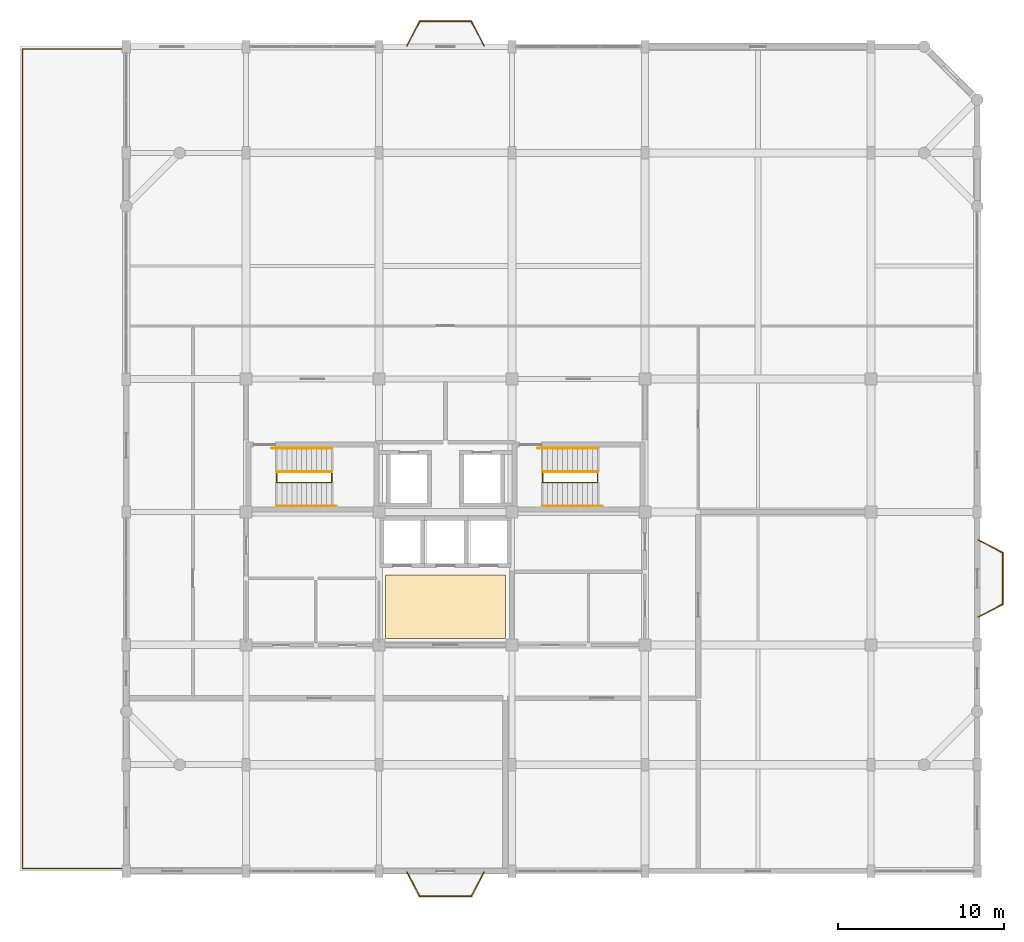
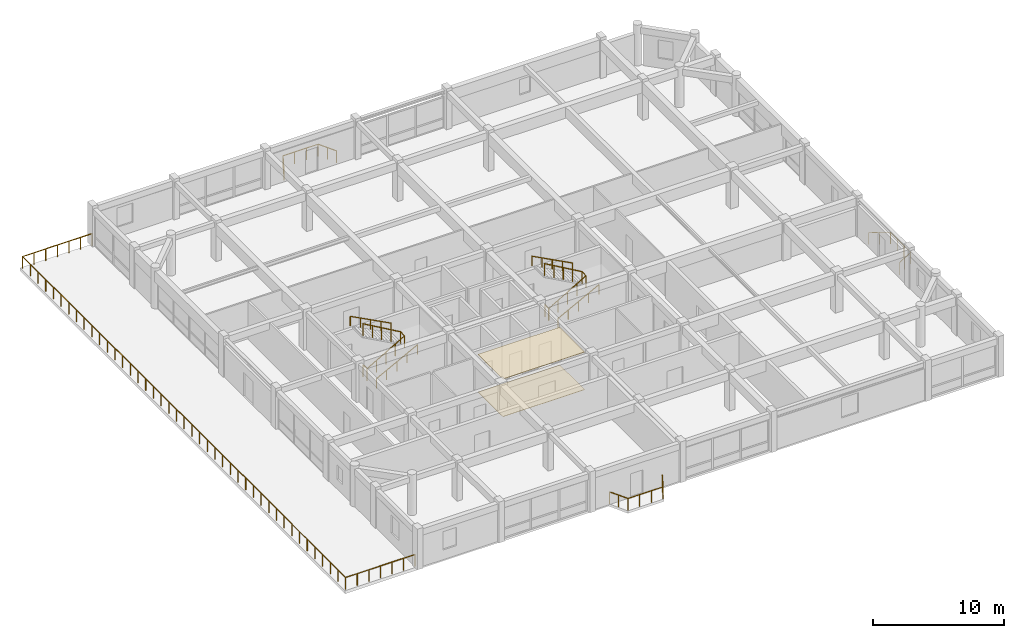
# One storey, part 13 of 13: 12 railings, 2 coverings.
"""IFC4 building model written with IfcOpenShell, lengths in metres."""

import ifcopenshell
import ifcopenshell.guid

model = None  # the IFC model being written
_history = None  # IfcOwnerHistory: only IFC2X3 demands one
_inside = {}  # id of a spatial element -> (the spatial element, [elements in it])
_under = {}  # id of a project, library or spatial element -> (it, [spatial elements below it])
_declared = {}  # id of a project -> (the project, [libraries it declares])
_typed = {}  # id of a type object -> (the type object, [elements of that type])
_made_of = {}  # id of a material, layer set ... -> (it, [elements and type objects made of it])


def new_model(schema):
    """Start an empty IFC model of exactly this schema.

    Asked for "IFC4X3", IfcOpenShell would pick the latest addendum, in which some entities
    have other attributes; the version numbers below select the first issue.
    IFC2X3 requires an IfcOwnerHistory on every rooted entity: one is made here for all.
    """
    global model, _history
    if schema == "IFC4X3":
        model = ifcopenshell.file(schema_version=(4, 3, 0, 0))
    else:
        model = ifcopenshell.file(schema=schema)
    _inside.clear()
    _under.clear()
    _declared.clear()
    _typed.clear()
    _made_of.clear()
    _history = None
    if model.schema == "IFC2X3":
        org = make("IfcOrganization", Name="unknown")
        user = make(
            "IfcPersonAndOrganization",
            ThePerson=make("IfcPerson", FamilyName="unknown"),
            TheOrganization=org,
        )
        app = make(
            "IfcApplication",
            ApplicationDeveloper=org,
            Version="unknown",
            ApplicationFullName="unknown",
            ApplicationIdentifier="unknown",
        )
        _history = make(
            "IfcOwnerHistory",
            OwningUser=user,
            OwningApplication=app,
            ChangeAction="ADDED",
            CreationDate=0,
        )
    return model


def make(cls, **values):
    """One entity of the class cls with the attributes given. An attribute that is None is left unset."""
    return model.create_entity(
        cls, **{name: value for name, value in values.items() if value is not None}
    )


def rooted(cls, **values):
    """An entity with a GlobalId (a new one), such as an element, a storey or a relation."""
    return make(cls, GlobalId=ifcopenshell.guid.new(), OwnerHistory=_history, **values)


def si_unit(unit_type, name, prefix=None):
    """IfcSIUnit, for example si_unit("LENGTHUNIT", "METRE", prefix="MILLI")."""
    return make("IfcSIUnit", UnitType=unit_type, Prefix=prefix, Name=name)


def assignment(units):
    """IfcUnitAssignment: the units of a project."""
    return None if units is None else make("IfcUnitAssignment", Units=units)


def point(xyz):
    """IfcCartesianPoint."""
    return None if xyz is None else make("IfcCartesianPoint", Coordinates=xyz)


def direction(xyz):
    """IfcDirection."""
    return None if xyz is None else make("IfcDirection", DirectionRatios=xyz)


def frame(location, z_axis=None, x_axis=None):
    """IfcAxis2Placement3D, a coordinate frame: its origin and axes. An axis left out is left unset."""
    return make(
        "IfcAxis2Placement3D",
        Location=point(location),
        Axis=direction(z_axis),
        RefDirection=direction(x_axis),
    )


def frame_2d(location, x_axis=None):
    """IfcAxis2Placement2D, a coordinate frame in the plane: its origin and x axis."""
    return make(
        "IfcAxis2Placement2D", Location=point(location), RefDirection=direction(x_axis)
    )


def origin():
    """The frame at (0, 0, 0) with its axes left unset."""
    return frame((0.0, 0.0, 0.0))


def origin_2d():
    """The frame at (0, 0) in the plane with its x axis left unset."""
    return frame_2d((0.0, 0.0))


def place(relative_to, where):
    """IfcLocalPlacement: puts the frame where relative to a parent placement (None: the world)."""
    return make(
        "IfcLocalPlacement", PlacementRelTo=relative_to, RelativePlacement=where
    )


def context(
    kind, dimensions, precision=None, world=None, true_north=None, identifier=None
):
    """IfcGeometricRepresentationContext, for example the 3D "Model" context."""
    return make(
        "IfcGeometricRepresentationContext",
        ContextIdentifier=identifier,
        ContextType=kind,
        CoordinateSpaceDimension=dimensions,
        Precision=precision,
        WorldCoordinateSystem=world,
        TrueNorth=true_north,
    )


def subcontext(parent, identifier, kind, view, scale=None):
    """IfcGeometricRepresentationSubContext, for example "Body" below "Model"."""
    return make(
        "IfcGeometricRepresentationSubContext",
        ContextIdentifier=identifier,
        ContextType=kind,
        ParentContext=parent,
        TargetScale=scale,
        TargetView=view,
    )


def project(units=None, contexts=None):
    """IfcProject with its units and contexts."""
    return rooted(
        "IfcProject",
        Name="project",
        RepresentationContexts=contexts,
        UnitsInContext=assignment(units),
    )


def spatial(cls, under=None, at=None, **own):
    """A site, building, storey or space (cls), placed at a placement, below another one or the project."""
    s = rooted(cls, ObjectPlacement=at, **own)
    if under is not None:
        _under.setdefault(under.id(), (under, []))[1].append(s)
    return s


def polyline(points):
    """IfcPolyline through the points."""
    return make("IfcPolyline", Points=[point(p) for p in points])


def profile(cls, at=None, kind="AREA", **sizes):
    """A parametric profile (cls). Its sizes go by their IFC names, for example OverallWidth=200.0."""
    return make(cls, ProfileType=kind, Position=at, **sizes)


def circle(**sizes):
    """IfcCircleProfileDef."""
    return profile("IfcCircleProfileDef", **sizes)


def outline(outer, holes=None, kind="AREA"):
    """IfcArbitraryClosedProfileDef: a profile drawn as a closed curve; with holes, ...WithVoids."""
    if holes is None:
        return make("IfcArbitraryClosedProfileDef", ProfileType=kind, OuterCurve=outer)
    return make(
        "IfcArbitraryProfileDefWithVoids",
        ProfileType=kind,
        OuterCurve=outer,
        InnerCurves=holes,
    )


def extrude(swept, where, along, depth):
    """IfcExtrudedAreaSolid: the profile swept, set in the frame where, extruded along a direction by depth."""
    return make(
        "IfcExtrudedAreaSolid",
        SweptArea=swept,
        Position=where,
        ExtrudedDirection=direction(along),
        Depth=depth,
    )


def shape(context_of_items, identifier, shape_type, items):
    """IfcShapeRepresentation: the items that make up one representation, for example the "Body"."""
    return make(
        "IfcShapeRepresentation",
        ContextOfItems=context_of_items,
        RepresentationIdentifier=identifier,
        RepresentationType=shape_type,
        Items=items,
    )


def material(Name=None, Category=None):
    """IfcMaterial."""
    return make("IfcMaterial", Name=Name, Category=Category)


def layer(
    of_material, thickness, ventilated=None, Name=None, Category=None, Priority=None
):
    """IfcMaterialLayer: one layer of a wall or slab, of a material (None: an air gap)."""
    return make(
        "IfcMaterialLayer",
        Material=of_material,
        LayerThickness=thickness,
        IsVentilated=ventilated,
        Name=Name,
        Category=Category,
        Priority=Priority,
    )


def layer_set(layers, Name=None):
    """IfcMaterialLayerSet."""
    return make("IfcMaterialLayerSet", MaterialLayers=layers, LayerSetName=Name)


def made_of(thing, what):
    """Note that an element or type object is made of a material, layer set ...; save() writes the relation."""
    if what is not None:
        _made_of.setdefault(what.id(), (what, []))[1].append(thing)
    return thing


def type_object(cls, material=None, **own):
    """A type object (cls), such as IfcWallType, which elements share."""
    return made_of(rooted(cls, **own), material)


def element(
    cls,
    number,
    at=None,
    inside=None,
    cuts=None,
    type_object=None,
    material=None,
    context=None,
    identifier="Body",
    shape_type=None,
    held_by="IfcProductDefinitionShape",
    body=None,
    shapes=None,
    **own,
):
    """One element of the class cls, such as IfcWall. Its Tag is "e" and its number.

    at: its placement. inside: the storey or other place that contains it. cuts: it is an
    opening in that element (IfcRelVoidsElement). A single representation is given by context,
    identifier, shape_type and body (its items); several are given by shapes. held_by: the class
    of the entity that holds the representations. save() writes the other relations.
    """
    e = rooted(cls, Tag="e%d" % number, ObjectPlacement=at, **own)
    if body is not None:
        shapes = [shape(context, identifier, shape_type, body)]
    if shapes is not None:
        e.Representation = make(held_by, Representations=shapes)
    if inside is not None:
        _inside.setdefault(inside.id(), (inside, []))[1].append(e)
    if cuts is not None:
        rooted(
            "IfcRelVoidsElement", RelatingBuildingElement=cuts, RelatedOpeningElement=e
        )
    if type_object is not None:
        _typed.setdefault(type_object.id(), (type_object, []))[1].append(e)
    return made_of(e, material)


def aggregate(whole, parts):
    """IfcRelAggregates: a whole, such as a stair, and the parts it consists of."""
    return rooted("IfcRelAggregates", RelatingObject=whole, RelatedObjects=parts)


def save(model, path):
    """Write the relations noted so far, then the file.

    IfcRelAggregates (storeys below a building ...), IfcRelContainedInSpatialStructure (elements
    in a storey), IfcRelDefinesByType, IfcRelAssociatesMaterial and IfcRelDeclares: one each for
    every whole, place, type object, material and project.
    """
    for whole, parts in _under.values():
        aggregate(whole, parts)
    for where, things in _inside.values():
        rooted(
            "IfcRelContainedInSpatialStructure",
            RelatedElements=things,
            RelatingStructure=where,
        )
    for kind, things in _typed.values():
        rooted("IfcRelDefinesByType", RelatedObjects=things, RelatingType=kind)
    for what, things in _made_of.values():
        rooted("IfcRelAssociatesMaterial", RelatedObjects=things, RelatingMaterial=what)
    for by, libraries in _declared.values():
        rooted("IfcRelDeclares", RelatingContext=by, RelatedDefinitions=libraries)
    model.write(path)


model = new_model("IFC4")

# Units and contexts
model_context = context("Model", 3, precision=1e-05, world=origin(), true_north=direction((0.0, 1.0)))
body_context = subcontext(model_context, "Body", "Model", "MODEL_VIEW")
ifc_project = project(units=[si_unit("LENGTHUNIT", "METRE"), si_unit("AREAUNIT", "SQUARE_METRE"), si_unit("VOLUMEUNIT", "CUBIC_METRE"), si_unit("PLANEANGLEUNIT", "RADIAN"), si_unit("MASSUNIT", "GRAM", prefix="KILO")], contexts=[model_context])

# Site, building, storey
site_placement = place(None, origin())
site = spatial("IfcSite", under=ifc_project, at=site_placement, CompositionType="ELEMENT")
building_placement = place(site_placement, origin())
building = spatial("IfcBuilding", under=site, at=building_placement, Name="Vellmiral Cinema and Media Centre", CompositionType="ELEMENT")
storey_placement = place(building_placement, frame((0.0, 0.0, 39.5)))
storey = spatial("IfcBuildingStorey", under=building, at=storey_placement, Name="L09", CompositionType="ELEMENT", Elevation=39.5)

# Coverings
ifc_material_1 = material(Name="Micro-Perforated Acoustic Gypsum Ceiling")
ifc_layer_1 = layer(ifc_material_1, 0.0400390625, Name="Micro-Perforated Acoustic Gypsum Ceiling")
ifc_layer_set_1 = layer_set([ifc_layer_1], Name="Micro-Perforated Acoustic Gypsum Ceiling")
covering_type_1 = type_object("IfcCoveringType", Name="COV-AC-CEILING", PredefinedType="CEILING", material=ifc_layer_set_1)
covering_1_placement = place(storey_placement, frame((0.0, 0.0, 3.5)))
element("IfcCovering", 1, at=covering_1_placement, inside=storey, type_object=covering_type_1, Name="Acoustic Lobby Ceiling L09", PredefinedType="CEILING", context=body_context, shape_type="SweptSolid", body=[
    extrude(outline(polyline([(132.39990234375, 79.60009765625), (139.60009765625, 79.60009765625), (139.60009765625, 83.39990234375), (132.39990234375, 83.39990234375), (132.39990234375, 79.60009765625)])), origin(), (0.0, 0.0, 1.0), 0.0400390625),
])
ifc_material_2 = material(Name="Honed Terrazzo Acoustic Floor Finish")
ifc_layer_2 = layer(ifc_material_2, 0.030029296875, Name="Honed Terrazzo Acoustic Floor Finish")
ifc_layer_set_2 = layer_set([ifc_layer_2], Name="Honed Terrazzo Acoustic Floor Finish")
covering_type_2 = type_object("IfcCoveringType", Name="COV-TERR-FLOORING", PredefinedType="FLOORING", material=ifc_layer_set_2)
covering_2_placement = place(storey_placement, origin())
element("IfcCovering", 2, at=covering_2_placement, inside=storey, type_object=covering_type_2, Name="Terrazzo Lobby Flooring L09", PredefinedType="FLOORING", context=body_context, shape_type="SweptSolid", body=[
    extrude(outline(polyline([(132.39990234375, 79.60009765625), (139.60009765625, 79.60009765625), (139.60009765625, 83.39990234375), (132.39990234375, 83.39990234375), (132.39990234375, 79.60009765625)])), origin(), (0.0, 0.0, 1.0), 0.030029296875),
])

# Railings
ifc_material_3 = material(Name="Forged Wrought-Iron Mirador Guardrail", Category="steel")
railing_type_1 = type_object("IfcRailingType", Name="RL-BAL-MIRA-1120", PredefinedType="BALUSTRADE", material=ifc_material_3)
railing_1_placement = place(storey_placement, frame((168.050048828125, 80.8798828125, 0.0)))
element("IfcRailing", 3, at=railing_1_placement, inside=storey, type_object=railing_type_1, Name="Mirador Balcony Guardrail L09-E", PredefinedType="BALUSTRADE", context=body_context, shape_type="SweptSolid", body=[
    extrude(circle(Radius=0.02392578125, at=origin_2d()), frame((0.0, 0.0, 1.09619140625), z_axis=(0.885822896277, 0.464023486939, 0.0), x_axis=(-0.464023486939, 0.885822896277, 0.0)), (0.0, 0.0, 1.0), 1.659423828125),
    extrude(circle(Radius=0.02392578125, at=origin_2d()), frame((1.469970703125, 0.77001953125, 1.09619140625), z_axis=(0.0, 1.0, 0.0), x_axis=(-1.0, 0.0, 0.0)), (0.0, 0.0, 1.0), 3.10009765625),
    extrude(circle(Radius=0.02392578125, at=origin_2d()), frame((1.469970703125, 3.8701171875, 1.09619140625), z_axis=(-0.885822896277, 0.464023486939, 0.0), x_axis=(-0.464023486939, -0.885822896277, 0.0)), (0.0, 0.0, 1.0), 1.659423828125),
    extrude(circle(Radius=0.02099609375, at=origin_2d()), origin(), (0.0, 0.0, 1.0), 1.072021484375),
    extrude(circle(Radius=0.02099609375, at=origin_2d()), frame((0.73486328125, 0.385009765625, 0.0)), (0.0, 0.0, 1.0), 1.072021484375),
    extrude(circle(Radius=0.02099609375, at=origin_2d()), frame((1.469970703125, 0.77001953125, 0.0)), (0.0, 0.0, 1.0), 1.072021484375),
    extrude(circle(Radius=0.02099609375, at=origin_2d()), frame((1.469970703125, 1.803466796875, 0.0)), (0.0, 0.0, 1.0), 1.072021484375),
    extrude(circle(Radius=0.02099609375, at=origin_2d()), frame((1.469970703125, 2.836669921875, 0.0)), (0.0, 0.0, 1.0), 1.072021484375),
    extrude(circle(Radius=0.02099609375, at=origin_2d()), frame((1.469970703125, 3.8701171875, 0.0)), (0.0, 0.0, 1.0), 1.072021484375),
    extrude(circle(Radius=0.02099609375, at=origin_2d()), frame((0.73486328125, 4.255126953125, 0.0)), (0.0, 0.0, 1.0), 1.072021484375),
    extrude(circle(Radius=0.02099609375, at=origin_2d()), frame((0.0, 4.64013671875, 0.0)), (0.0, 0.0, 1.0), 1.072021484375),
])
railing_2_placement = place(storey_placement, frame((138.320068359375, 115.25, 0.0)))
element("IfcRailing", 4, at=railing_2_placement, inside=storey, type_object=railing_type_1, Name="Mirador Balcony Guardrail L09-N", PredefinedType="BALUSTRADE", context=body_context, shape_type="SweptSolid", body=[
    extrude(circle(Radius=0.02392578125, at=origin_2d()), frame((0.0, 0.0, 1.09619140625), z_axis=(-0.464023486939, 0.885822896277, 0.0), x_axis=(-0.885822896277, -0.464023486939, 0.0)), (0.0, 0.0, 1.0), 1.659423828125),
    extrude(circle(Radius=0.02392578125, at=origin_2d()), frame((-0.77001953125, 1.469970703125, 1.09619140625), z_axis=(-1.0, 0.0, 0.0), x_axis=(0.0, -1.0, 0.0)), (0.0, 0.0, 1.0), 3.10009765625),
    extrude(circle(Radius=0.02392578125, at=origin_2d()), frame((-3.8701171875, 1.469970703125, 1.09619140625), z_axis=(-0.464023486939, -0.885822896277, 0.0), x_axis=(0.885822896277, -0.464023486939, 0.0)), (0.0, 0.0, 1.0), 1.659423828125),
    extrude(circle(Radius=0.02099609375, at=origin_2d()), origin(), (0.0, 0.0, 1.0), 1.072021484375),
    extrude(circle(Radius=0.02099609375, at=origin_2d()), frame((-0.385009765625, 0.73486328125, 0.0)), (0.0, 0.0, 1.0), 1.072021484375),
    extrude(circle(Radius=0.02099609375, at=origin_2d()), frame((-0.77001953125, 1.469970703125, 0.0)), (0.0, 0.0, 1.0), 1.072021484375),
    extrude(circle(Radius=0.02099609375, at=origin_2d()), frame((-1.803466796875, 1.469970703125, 0.0)), (0.0, 0.0, 1.0), 1.072021484375),
    extrude(circle(Radius=0.02099609375, at=origin_2d()), frame((-2.836669921875, 1.469970703125, 0.0)), (0.0, 0.0, 1.0), 1.072021484375),
    extrude(circle(Radius=0.02099609375, at=origin_2d()), frame((-3.8701171875, 1.469970703125, 0.0)), (0.0, 0.0, 1.0), 1.072021484375),
    extrude(circle(Radius=0.02099609375, at=origin_2d()), frame((-4.255126953125, 0.73486328125, 0.0)), (0.0, 0.0, 1.0), 1.072021484375),
    extrude(circle(Radius=0.02099609375, at=origin_2d()), frame((-4.64013671875, 0.0, 0.0)), (0.0, 0.0, 1.0), 1.072021484375),
])
railing_3_placement = place(storey_placement, frame((133.679931640625, 65.550048828125, 0.0)))
element("IfcRailing", 5, at=railing_3_placement, inside=storey, type_object=railing_type_1, Name="Mirador Balcony Guardrail L09-S", PredefinedType="BALUSTRADE", context=body_context, shape_type="SweptSolid", body=[
    extrude(circle(Radius=0.02392578125, at=origin_2d()), frame((0.0, 0.0, 1.09619140625), z_axis=(0.464023486939, -0.885822896277, 0.0), x_axis=(0.885822896277, 0.464023486939, 0.0)), (0.0, 0.0, 1.0), 1.659423828125),
    extrude(circle(Radius=0.02392578125, at=origin_2d()), frame((0.77001953125, -1.469970703125, 1.09619140625), z_axis=(1.0, 0.0, 0.0), x_axis=(0.0, 1.0, 0.0)), (0.0, 0.0, 1.0), 3.10009765625),
    extrude(circle(Radius=0.02392578125, at=origin_2d()), frame((3.8701171875, -1.469970703125, 1.09619140625), z_axis=(0.464023486939, 0.885822896277, 0.0), x_axis=(-0.885822896277, 0.464023486939, 0.0)), (0.0, 0.0, 1.0), 1.659423828125),
    extrude(circle(Radius=0.02099609375, at=origin_2d()), origin(), (0.0, 0.0, 1.0), 1.072021484375),
    extrude(circle(Radius=0.02099609375, at=origin_2d()), frame((0.385009765625, -0.73486328125, 0.0)), (0.0, 0.0, 1.0), 1.072021484375),
    extrude(circle(Radius=0.02099609375, at=origin_2d()), frame((0.77001953125, -1.469970703125, 0.0)), (0.0, 0.0, 1.0), 1.072021484375),
    extrude(circle(Radius=0.02099609375, at=origin_2d()), frame((1.803466796875, -1.469970703125, 0.0)), (0.0, 0.0, 1.0), 1.072021484375),
    extrude(circle(Radius=0.02099609375, at=origin_2d()), frame((2.836669921875, -1.469970703125, 0.0)), (0.0, 0.0, 1.0), 1.072021484375),
    extrude(circle(Radius=0.02099609375, at=origin_2d()), frame((3.8701171875, -1.469970703125, 0.0)), (0.0, 0.0, 1.0), 1.072021484375),
    extrude(circle(Radius=0.02099609375, at=origin_2d()), frame((4.255126953125, -0.73486328125, 0.0)), (0.0, 0.0, 1.0), 1.072021484375),
    extrude(circle(Radius=0.02099609375, at=origin_2d()), frame((4.64013671875, 0.0, 0.0)), (0.0, 0.0, 1.0), 1.072021484375),
])
ifc_material_4 = material(Name="Forged Wrought-Iron Whiplash Balustrade", Category="steel")
railing_type_2 = type_object("IfcRailingType", Name="RL-BAL-WROUGHT-1120", PredefinedType="BALUSTRADE", material=ifc_material_4)
railing_4_placement = place(storey_placement, frame((116.64990234375, 115.050048828125, 0.0)))
element("IfcRailing", 6, at=railing_4_placement, inside=storey, type_object=railing_type_2, Name="Terrace Wrought-Iron Balustrade RL-TERR-L09-WEST", PredefinedType="BALUSTRADE", context=body_context, shape_type="SweptSolid", body=[
    extrude(circle(Radius=0.02392578125, at=origin_2d()), frame((0.0, 0.0, 1.09619140625), z_axis=(-1.0, 0.0, 0.0), x_axis=(0.0, -1.0, 0.0)), (0.0, 0.0, 1.0), 6.099853515625),
    extrude(circle(Radius=0.02392578125, at=origin_2d()), frame((-6.099853515625, 0.0, 1.09619140625), z_axis=(0.0, -1.0, 0.0), x_axis=(1.0, 0.0, 0.0)), (0.0, 0.0, 1.0), 49.300048828125),
    extrude(circle(Radius=0.02392578125, at=origin_2d()), frame((-6.099853515625, -49.300048828125, 1.09619140625), z_axis=(1.0, 0.0, 0.0), x_axis=(0.0, 1.0, 0.0)), (0.0, 0.0, 1.0), 6.099853515625),
    extrude(circle(Radius=0.02099609375, at=origin_2d()), origin(), (0.0, 0.0, 1.0), 1.072021484375),
    extrude(circle(Radius=0.02099609375, at=origin_2d()), frame((-1.0166015625, 0.0, 0.0)), (0.0, 0.0, 1.0), 1.072021484375),
    extrude(circle(Radius=0.02099609375, at=origin_2d()), frame((-2.033203125, 0.0, 0.0)), (0.0, 0.0, 1.0), 1.072021484375),
    extrude(circle(Radius=0.02099609375, at=origin_2d()), frame((-3.0498046875, 0.0, 0.0)), (0.0, 0.0, 1.0), 1.072021484375),
    extrude(circle(Radius=0.02099609375, at=origin_2d()), frame((-4.066650390625, 0.0, 0.0)), (0.0, 0.0, 1.0), 1.072021484375),
    extrude(circle(Radius=0.02099609375, at=origin_2d()), frame((-5.083251953125, 0.0, 0.0)), (0.0, 0.0, 1.0), 1.072021484375),
    extrude(circle(Radius=0.02099609375, at=origin_2d()), frame((-6.099853515625, 0.0, 0.0)), (0.0, 0.0, 1.0), 1.072021484375),
    extrude(circle(Radius=0.02099609375, at=origin_2d()), frame((-6.099853515625, -1.173828125, 0.0)), (0.0, 0.0, 1.0), 1.072021484375),
    extrude(circle(Radius=0.02099609375, at=origin_2d()), frame((-6.099853515625, -2.34765625, 0.0)), (0.0, 0.0, 1.0), 1.072021484375),
    extrude(circle(Radius=0.02099609375, at=origin_2d()), frame((-6.099853515625, -3.521484375, 0.0)), (0.0, 0.0, 1.0), 1.072021484375),
    extrude(circle(Radius=0.02099609375, at=origin_2d()), frame((-6.099853515625, -4.6953125, 0.0)), (0.0, 0.0, 1.0), 1.072021484375),
    extrude(circle(Radius=0.02099609375, at=origin_2d()), frame((-6.099853515625, -5.869140625, 0.0)), (0.0, 0.0, 1.0), 1.072021484375),
    extrude(circle(Radius=0.02099609375, at=origin_2d()), frame((-6.099853515625, -7.04296875, 0.0)), (0.0, 0.0, 1.0), 1.072021484375),
    extrude(circle(Radius=0.02099609375, at=origin_2d()), frame((-6.099853515625, -8.216796875, 0.0)), (0.0, 0.0, 1.0), 1.072021484375),
    extrude(circle(Radius=0.02099609375, at=origin_2d()), frame((-6.099853515625, -9.390380859375, 0.0)), (0.0, 0.0, 1.0), 1.072021484375),
    extrude(circle(Radius=0.02099609375, at=origin_2d()), frame((-6.099853515625, -10.564208984375, 0.0)), (0.0, 0.0, 1.0), 1.072021484375),
    extrude(circle(Radius=0.02099609375, at=origin_2d()), frame((-6.099853515625, -11.738037109375, 0.0)), (0.0, 0.0, 1.0), 1.072021484375),
    extrude(circle(Radius=0.02099609375, at=origin_2d()), frame((-6.099853515625, -12.911865234375, 0.0)), (0.0, 0.0, 1.0), 1.072021484375),
    extrude(circle(Radius=0.02099609375, at=origin_2d()), frame((-6.099853515625, -14.085693359375, 0.0)), (0.0, 0.0, 1.0), 1.072021484375),
    extrude(circle(Radius=0.02099609375, at=origin_2d()), frame((-6.099853515625, -15.259521484375, 0.0)), (0.0, 0.0, 1.0), 1.072021484375),
    extrude(circle(Radius=0.02099609375, at=origin_2d()), frame((-6.099853515625, -16.433349609375, 0.0)), (0.0, 0.0, 1.0), 1.072021484375),
    extrude(circle(Radius=0.02099609375, at=origin_2d()), frame((-6.099853515625, -17.607177734375, 0.0)), (0.0, 0.0, 1.0), 1.072021484375),
    extrude(circle(Radius=0.02099609375, at=origin_2d()), frame((-6.099853515625, -18.781005859375, 0.0)), (0.0, 0.0, 1.0), 1.072021484375),
    extrude(circle(Radius=0.02099609375, at=origin_2d()), frame((-6.099853515625, -19.954833984375, 0.0)), (0.0, 0.0, 1.0), 1.072021484375),
    extrude(circle(Radius=0.02099609375, at=origin_2d()), frame((-6.099853515625, -21.128662109375, 0.0)), (0.0, 0.0, 1.0), 1.072021484375),
    extrude(circle(Radius=0.02099609375, at=origin_2d()), frame((-6.099853515625, -22.302490234375, 0.0)), (0.0, 0.0, 1.0), 1.072021484375),
    extrude(circle(Radius=0.02099609375, at=origin_2d()), frame((-6.099853515625, -23.476318359375, 0.0)), (0.0, 0.0, 1.0), 1.072021484375),
    extrude(circle(Radius=0.02099609375, at=origin_2d()), frame((-6.099853515625, -24.64990234375, 0.0)), (0.0, 0.0, 1.0), 1.072021484375),
    extrude(circle(Radius=0.02099609375, at=origin_2d()), frame((-6.099853515625, -25.82373046875, 0.0)), (0.0, 0.0, 1.0), 1.072021484375),
    extrude(circle(Radius=0.02099609375, at=origin_2d()), frame((-6.099853515625, -26.99755859375, 0.0)), (0.0, 0.0, 1.0), 1.072021484375),
    extrude(circle(Radius=0.02099609375, at=origin_2d()), frame((-6.099853515625, -28.17138671875, 0.0)), (0.0, 0.0, 1.0), 1.072021484375),
    extrude(circle(Radius=0.02099609375, at=origin_2d()), frame((-6.099853515625, -29.34521484375, 0.0)), (0.0, 0.0, 1.0), 1.072021484375),
    extrude(circle(Radius=0.02099609375, at=origin_2d()), frame((-6.099853515625, -30.51904296875, 0.0)), (0.0, 0.0, 1.0), 1.072021484375),
    extrude(circle(Radius=0.02099609375, at=origin_2d()), frame((-6.099853515625, -31.69287109375, 0.0)), (0.0, 0.0, 1.0), 1.072021484375),
    extrude(circle(Radius=0.02099609375, at=origin_2d()), frame((-6.099853515625, -32.86669921875, 0.0)), (0.0, 0.0, 1.0), 1.072021484375),
    extrude(circle(Radius=0.02099609375, at=origin_2d()), frame((-6.099853515625, -34.04052734375, 0.0)), (0.0, 0.0, 1.0), 1.072021484375),
    extrude(circle(Radius=0.02099609375, at=origin_2d()), frame((-6.099853515625, -35.21435546875, 0.0)), (0.0, 0.0, 1.0), 1.072021484375),
    extrude(circle(Radius=0.02099609375, at=origin_2d()), frame((-6.099853515625, -36.38818359375, 0.0)), (0.0, 0.0, 1.0), 1.072021484375),
    extrude(circle(Radius=0.02099609375, at=origin_2d()), frame((-6.099853515625, -37.56201171875, 0.0)), (0.0, 0.0, 1.0), 1.072021484375),
    extrude(circle(Radius=0.02099609375, at=origin_2d()), frame((-6.099853515625, -38.73583984375, 0.0)), (0.0, 0.0, 1.0), 1.072021484375),
    extrude(circle(Radius=0.02099609375, at=origin_2d()), frame((-6.099853515625, -39.90966796875, 0.0)), (0.0, 0.0, 1.0), 1.072021484375),
    extrude(circle(Radius=0.02099609375, at=origin_2d()), frame((-6.099853515625, -41.08349609375, 0.0)), (0.0, 0.0, 1.0), 1.072021484375),
    extrude(circle(Radius=0.02099609375, at=origin_2d()), frame((-6.099853515625, -42.257080078125, 0.0)), (0.0, 0.0, 1.0), 1.072021484375),
    extrude(circle(Radius=0.02099609375, at=origin_2d()), frame((-6.099853515625, -43.430908203125, 0.0)), (0.0, 0.0, 1.0), 1.072021484375),
    extrude(circle(Radius=0.02099609375, at=origin_2d()), frame((-6.099853515625, -44.604736328125, 0.0)), (0.0, 0.0, 1.0), 1.072021484375),
    extrude(circle(Radius=0.02099609375, at=origin_2d()), frame((-6.099853515625, -45.778564453125, 0.0)), (0.0, 0.0, 1.0), 1.072021484375),
    extrude(circle(Radius=0.02099609375, at=origin_2d()), frame((-6.099853515625, -46.952392578125, 0.0)), (0.0, 0.0, 1.0), 1.072021484375),
    extrude(circle(Radius=0.02099609375, at=origin_2d()), frame((-6.099853515625, -48.126220703125, 0.0)), (0.0, 0.0, 1.0), 1.072021484375),
    extrude(circle(Radius=0.02099609375, at=origin_2d()), frame((-6.099853515625, -49.300048828125, 0.0)), (0.0, 0.0, 1.0), 1.072021484375),
    extrude(circle(Radius=0.02099609375, at=origin_2d()), frame((-5.083251953125, -49.300048828125, 0.0)), (0.0, 0.0, 1.0), 1.072021484375),
    extrude(circle(Radius=0.02099609375, at=origin_2d()), frame((-4.066650390625, -49.300048828125, 0.0)), (0.0, 0.0, 1.0), 1.072021484375),
    extrude(circle(Radius=0.02099609375, at=origin_2d()), frame((-3.0498046875, -49.300048828125, 0.0)), (0.0, 0.0, 1.0), 1.072021484375),
    extrude(circle(Radius=0.02099609375, at=origin_2d()), frame((-2.033203125, -49.300048828125, 0.0)), (0.0, 0.0, 1.0), 1.072021484375),
    extrude(circle(Radius=0.02099609375, at=origin_2d()), frame((-1.0166015625, -49.300048828125, 0.0)), (0.0, 0.0, 1.0), 1.072021484375),
    extrude(circle(Radius=0.02099609375, at=origin_2d()), frame((0.0, -49.300048828125, 0.0)), (0.0, 0.0, 1.0), 1.072021484375),
])
ifc_material_5 = material(Name="Brushed Stainless Steel Handrail", Category="steel")
railing_type_3 = type_object("IfcRailingType", Name="RL-HANDRAIL-900", PredefinedType="HANDRAIL", material=ifc_material_5)
railing_5_placement = place(storey_placement, frame((125.85009765625, 87.56005859375, 0.158447265625)))
element("IfcRailing", 7, at=railing_5_placement, inside=storey, type_object=railing_type_3, Name="Stair Wall Handrail ST-T1 L09-1", PredefinedType="HANDRAIL", context=body_context, shape_type="SweptSolid", body=[
    extrude(circle(Radius=0.02392578125, at=origin_2d()), frame((0.0, 0.0, 0.8759765625), z_axis=(0.884386816079, 0.0, 0.466754710256), x_axis=(0.0, 1.0, 0.0)), (0.0, 0.0, 1.0), 4.070556640625),
    extrude(circle(Radius=0.02099609375, at=origin_2d()), origin(), (0.0, 0.0, 1.0), 0.851806640625),
    extrude(circle(Radius=0.02099609375, at=origin_2d()), frame((0.89990234375, 0.0, 0.47509765625)), (0.0, 0.0, 1.0), 0.851806640625),
    extrude(circle(Radius=0.02099609375, at=origin_2d()), frame((1.7998046875, 0.0, 0.949951171875)), (0.0, 0.0, 1.0), 0.851806640625),
    extrude(circle(Radius=0.02099609375, at=origin_2d()), frame((2.699951171875, 0.0, 1.4248046875)), (0.0, 0.0, 1.0), 0.851806640625),
    extrude(circle(Radius=0.02099609375, at=origin_2d()), frame((3.599853515625, 0.0, 1.89990234375)), (0.0, 0.0, 1.0), 0.851806640625),
])
railing_6_placement = place(storey_placement, frame((129.14990234375, 91.0400390625, 2.058349609375)))
element("IfcRailing", 8, at=railing_6_placement, inside=storey, type_object=railing_type_3, Name="Stair Wall Handrail ST-T1 L09-2", PredefinedType="HANDRAIL", context=body_context, shape_type="SweptSolid", body=[
    extrude(circle(Radius=0.02392578125, at=origin_2d()), frame((0.0, 0.0, 0.8759765625), z_axis=(-0.884386816079, 0.0, 0.466754710256), x_axis=(0.0, -1.0, 0.0)), (0.0, 0.0, 1.0), 4.070556640625),
    extrude(circle(Radius=0.02099609375, at=origin_2d()), origin(), (0.0, 0.0, 1.0), 0.851806640625),
    extrude(circle(Radius=0.02099609375, at=origin_2d()), frame((-0.89990234375, 0.0, 0.47509765625)), (0.0, 0.0, 1.0), 0.851806640625),
    extrude(circle(Radius=0.02099609375, at=origin_2d()), frame((-1.7998046875, 0.0, 0.949951171875)), (0.0, 0.0, 1.0), 0.851806640625),
    extrude(circle(Radius=0.02099609375, at=origin_2d()), frame((-2.699951171875, 0.0, 1.4248046875)), (0.0, 0.0, 1.0), 0.851806640625),
    extrude(circle(Radius=0.02099609375, at=origin_2d()), frame((-3.599853515625, 0.0, 1.89990234375)), (0.0, 0.0, 1.0), 0.851806640625),
])
railing_7_placement = place(storey_placement, frame((141.85009765625, 87.56005859375, 0.158447265625)))
element("IfcRailing", 9, at=railing_7_placement, inside=storey, type_object=railing_type_3, Name="Stair Wall Handrail ST-T2 L09-1", PredefinedType="HANDRAIL", context=body_context, shape_type="SweptSolid", body=[
    extrude(circle(Radius=0.02392578125, at=origin_2d()), frame((0.0, 0.0, 0.8759765625), z_axis=(0.884386816079, 0.0, 0.466754710256), x_axis=(0.0, 1.0, 0.0)), (0.0, 0.0, 1.0), 4.070556640625),
    extrude(circle(Radius=0.02099609375, at=origin_2d()), origin(), (0.0, 0.0, 1.0), 0.851806640625),
    extrude(circle(Radius=0.02099609375, at=origin_2d()), frame((0.89990234375, 0.0, 0.47509765625)), (0.0, 0.0, 1.0), 0.851806640625),
    extrude(circle(Radius=0.02099609375, at=origin_2d()), frame((1.7998046875, 0.0, 0.949951171875)), (0.0, 0.0, 1.0), 0.851806640625),
    extrude(circle(Radius=0.02099609375, at=origin_2d()), frame((2.699951171875, 0.0, 1.4248046875)), (0.0, 0.0, 1.0), 0.851806640625),
    extrude(circle(Radius=0.02099609375, at=origin_2d()), frame((3.599853515625, 0.0, 1.89990234375)), (0.0, 0.0, 1.0), 0.851806640625),
])
railing_8_placement = place(storey_placement, frame((145.14990234375, 91.0400390625, 2.058349609375)))
element("IfcRailing", 10, at=railing_8_placement, inside=storey, type_object=railing_type_3, Name="Stair Wall Handrail ST-T2 L09-2", PredefinedType="HANDRAIL", context=body_context, shape_type="SweptSolid", body=[
    extrude(circle(Radius=0.02392578125, at=origin_2d()), frame((0.0, 0.0, 0.8759765625), z_axis=(-0.884386816079, 0.0, 0.466754710256), x_axis=(0.0, -1.0, 0.0)), (0.0, 0.0, 1.0), 4.070556640625),
    extrude(circle(Radius=0.02099609375, at=origin_2d()), origin(), (0.0, 0.0, 1.0), 0.851806640625),
    extrude(circle(Radius=0.02099609375, at=origin_2d()), frame((-0.89990234375, 0.0, 0.47509765625)), (0.0, 0.0, 1.0), 0.851806640625),
    extrude(circle(Radius=0.02099609375, at=origin_2d()), frame((-1.7998046875, 0.0, 0.949951171875)), (0.0, 0.0, 1.0), 0.851806640625),
    extrude(circle(Radius=0.02099609375, at=origin_2d()), frame((-2.699951171875, 0.0, 1.4248046875)), (0.0, 0.0, 1.0), 0.851806640625),
    extrude(circle(Radius=0.02099609375, at=origin_2d()), frame((-3.599853515625, 0.0, 1.89990234375)), (0.0, 0.0, 1.0), 0.851806640625),
])
ifc_material_6 = material(Name="Painted Steel Stair Guardrail", Category="steel")
railing_type_4 = type_object("IfcRailingType", Name="RL-STAIR-GUARD-1120", PredefinedType="GUARDRAIL", material=ifc_material_6)
railing_9_placement = place(storey_placement, frame((125.85009765625, 89.580078125, 0.0)))
element("IfcRailing", 11, at=railing_9_placement, inside=storey, type_object=railing_type_4, Name="Stair Well Guard ST-T1 L09-A", PredefinedType="GUARDRAIL", context=body_context, shape_type="SweptSolid", body=[
    extrude(circle(Radius=0.02392578125, at=origin_2d()), frame((0.0, 0.0, 1.09619140625), z_axis=(0.0, -1.0, 0.0), x_axis=(1.0, 0.0, 0.0)), (0.0, 0.0, 1.0), 0.60009765625),
    extrude(circle(Radius=0.02392578125, at=origin_2d()), frame((0.0, -0.60009765625, 1.09619140625), z_axis=(0.866620776532, 0.0, 0.498967363345), x_axis=(0.0, 1.0, 0.0)), (0.0, 0.0, 1.0), 3.8076171875),
    extrude(circle(Radius=0.02392578125, at=origin_2d()), frame((3.2998046875, -0.60009765625, 2.99609375), z_axis=(0.0, 1.0, 0.0), x_axis=(-1.0, 0.0, 0.0)), (0.0, 0.0, 1.0), 0.64013671875),
    extrude(circle(Radius=0.02099609375, at=origin_2d()), origin(), (0.0, 0.0, 1.0), 1.072021484375),
    extrude(circle(Radius=0.02099609375, at=origin_2d()), frame((0.0, -0.60009765625, 0.0)), (0.0, 0.0, 1.0), 1.072021484375),
    extrude(circle(Radius=0.02099609375, at=origin_2d()), frame((0.824951171875, -0.60009765625, 0.47509765625)), (0.0, 0.0, 1.0), 1.072021484375),
    extrude(circle(Radius=0.02099609375, at=origin_2d()), frame((1.64990234375, -0.60009765625, 0.949951171875)), (0.0, 0.0, 1.0), 1.072021484375),
    extrude(circle(Radius=0.02099609375, at=origin_2d()), frame((2.474853515625, -0.60009765625, 1.4248046875)), (0.0, 0.0, 1.0), 1.072021484375),
    extrude(circle(Radius=0.02099609375, at=origin_2d()), frame((3.2998046875, -0.60009765625, 1.89990234375)), (0.0, 0.0, 1.0), 1.072021484375),
    extrude(circle(Radius=0.02099609375, at=origin_2d()), frame((3.2998046875, 0.0400390625, 1.89990234375)), (0.0, 0.0, 1.0), 1.072021484375),
])
railing_10_placement = place(storey_placement, frame((129.14990234375, 89.6201171875, 1.89990234375)))
element("IfcRailing", 12, at=railing_10_placement, inside=storey, type_object=railing_type_4, Name="Stair Well Guard ST-T1 L09-B", PredefinedType="GUARDRAIL", context=body_context, shape_type="SweptSolid", body=[
    extrude(circle(Radius=0.02392578125, at=origin_2d()), frame((0.0, 0.0, 1.09619140625), z_axis=(-0.866593050405, 0.0, 0.499015515781), x_axis=(0.0, -1.0, 0.0)), (0.0, 0.0, 1.0), 3.807861328125),
    extrude(circle(Radius=0.02099609375, at=origin_2d()), origin(), (0.0, 0.0, 1.0), 1.072021484375),
    extrude(circle(Radius=0.02099609375, at=origin_2d()), frame((-0.824951171875, 0.0, 0.47509765625)), (0.0, 0.0, 1.0), 1.072021484375),
    extrude(circle(Radius=0.02099609375, at=origin_2d()), frame((-1.64990234375, 0.0, 0.9501953125)), (0.0, 0.0, 1.0), 1.072021484375),
    extrude(circle(Radius=0.02099609375, at=origin_2d()), frame((-2.474853515625, 0.0, 1.425048828125)), (0.0, 0.0, 1.0), 1.072021484375),
    extrude(circle(Radius=0.02099609375, at=origin_2d()), frame((-3.2998046875, 0.0, 1.900146484375)), (0.0, 0.0, 1.0), 1.072021484375),
])
railing_11_placement = place(storey_placement, frame((141.85009765625, 89.580078125, 0.0)))
element("IfcRailing", 13, at=railing_11_placement, inside=storey, type_object=railing_type_4, Name="Stair Well Guard ST-T2 L09-A", PredefinedType="GUARDRAIL", context=body_context, shape_type="SweptSolid", body=[
    extrude(circle(Radius=0.02392578125, at=origin_2d()), frame((0.0, 0.0, 1.09619140625), z_axis=(0.0, -1.0, 0.0), x_axis=(1.0, 0.0, 0.0)), (0.0, 0.0, 1.0), 0.60009765625),
    extrude(circle(Radius=0.02392578125, at=origin_2d()), frame((0.0, -0.60009765625, 1.09619140625), z_axis=(0.866620776532, 0.0, 0.498967363345), x_axis=(0.0, 1.0, 0.0)), (0.0, 0.0, 1.0), 3.8076171875),
    extrude(circle(Radius=0.02392578125, at=origin_2d()), frame((3.2998046875, -0.60009765625, 2.99609375), z_axis=(0.0, 1.0, 0.0), x_axis=(-1.0, 0.0, 0.0)), (0.0, 0.0, 1.0), 0.64013671875),
    extrude(circle(Radius=0.02099609375, at=origin_2d()), origin(), (0.0, 0.0, 1.0), 1.072021484375),
    extrude(circle(Radius=0.02099609375, at=origin_2d()), frame((0.0, -0.60009765625, 0.0)), (0.0, 0.0, 1.0), 1.072021484375),
    extrude(circle(Radius=0.02099609375, at=origin_2d()), frame((0.824951171875, -0.60009765625, 0.47509765625)), (0.0, 0.0, 1.0), 1.072021484375),
    extrude(circle(Radius=0.02099609375, at=origin_2d()), frame((1.64990234375, -0.60009765625, 0.949951171875)), (0.0, 0.0, 1.0), 1.072021484375),
    extrude(circle(Radius=0.02099609375, at=origin_2d()), frame((2.474853515625, -0.60009765625, 1.4248046875)), (0.0, 0.0, 1.0), 1.072021484375),
    extrude(circle(Radius=0.02099609375, at=origin_2d()), frame((3.2998046875, -0.60009765625, 1.89990234375)), (0.0, 0.0, 1.0), 1.072021484375),
    extrude(circle(Radius=0.02099609375, at=origin_2d()), frame((3.2998046875, 0.0400390625, 1.89990234375)), (0.0, 0.0, 1.0), 1.072021484375),
])
railing_12_placement = place(storey_placement, frame((145.14990234375, 89.6201171875, 1.89990234375)))
element("IfcRailing", 14, at=railing_12_placement, inside=storey, type_object=railing_type_4, Name="Stair Well Guard ST-T2 L09-B", PredefinedType="GUARDRAIL", context=body_context, shape_type="SweptSolid", body=[
    extrude(circle(Radius=0.02392578125, at=origin_2d()), frame((0.0, 0.0, 1.09619140625), z_axis=(-0.866593050405, 0.0, 0.499015515781), x_axis=(0.0, -1.0, 0.0)), (0.0, 0.0, 1.0), 3.807861328125),
    extrude(circle(Radius=0.02099609375, at=origin_2d()), origin(), (0.0, 0.0, 1.0), 1.072021484375),
    extrude(circle(Radius=0.02099609375, at=origin_2d()), frame((-0.824951171875, 0.0, 0.47509765625)), (0.0, 0.0, 1.0), 1.072021484375),
    extrude(circle(Radius=0.02099609375, at=origin_2d()), frame((-1.64990234375, 0.0, 0.9501953125)), (0.0, 0.0, 1.0), 1.072021484375),
    extrude(circle(Radius=0.02099609375, at=origin_2d()), frame((-2.474853515625, 0.0, 1.425048828125)), (0.0, 0.0, 1.0), 1.072021484375),
    extrude(circle(Radius=0.02099609375, at=origin_2d()), frame((-3.2998046875, 0.0, 1.900146484375)), (0.0, 0.0, 1.0), 1.072021484375),
])

save(model, "model.ifc")
